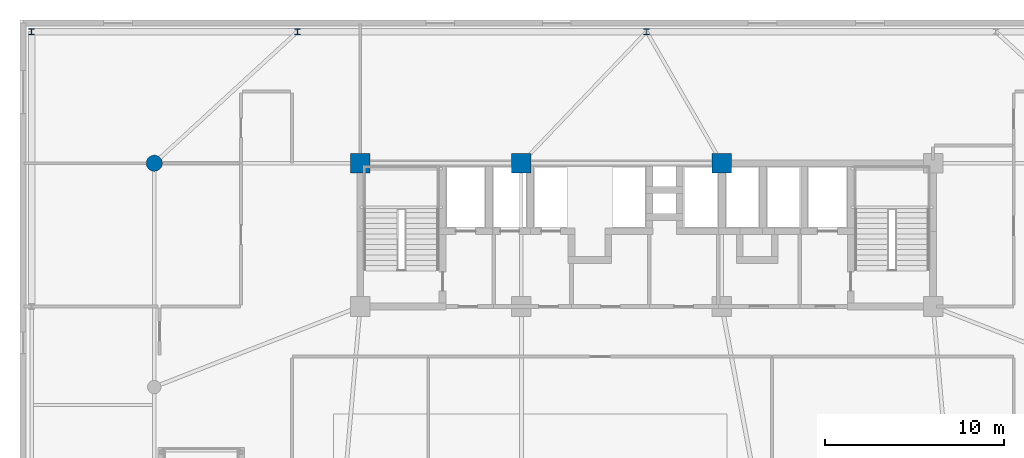
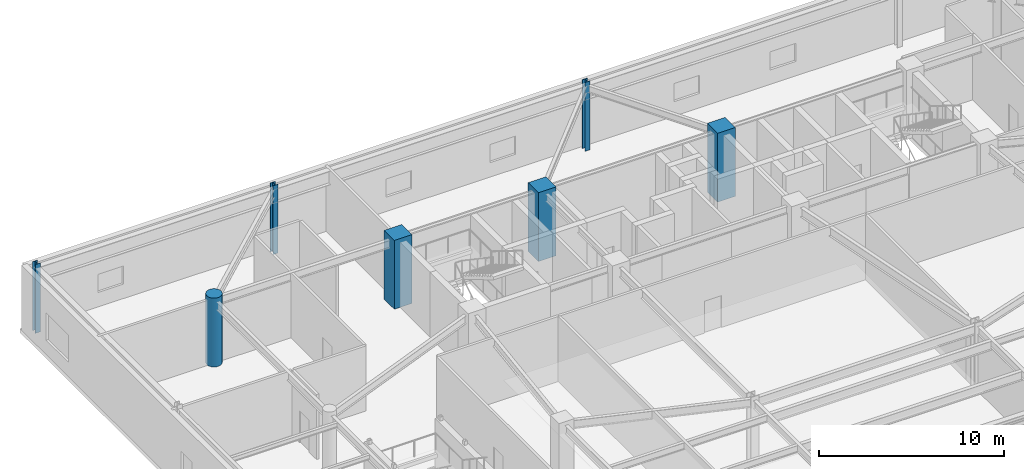
# One storey, part 4 of 26: 7 columns.
"""IFC4 building model written with IfcOpenShell, lengths in metres."""

from ifc_helpers import new_model, si_unit, direction, frame, origin, origin_2d, place, context, subcontext, project, spatial, rectangle, circle, i_section, extrude, source, transform, mapped, material, material_profile, profile_set, type_object, element, save


model = new_model("IFC4")

# Units and contexts
model_context = context("Model", 3, precision=1e-05, world=origin(), true_north=direction((0.0, 1.0)))
body_context = subcontext(model_context, "Body", "Model", "MODEL_VIEW")
ifc_project = project(units=[si_unit("LENGTHUNIT", "METRE"), si_unit("AREAUNIT", "SQUARE_METRE"), si_unit("VOLUMEUNIT", "CUBIC_METRE"), si_unit("PLANEANGLEUNIT", "RADIAN"), si_unit("MASSUNIT", "GRAM", prefix="KILO")], contexts=[model_context])

# Site, building, storey
site_placement = place(None, origin())
site = spatial("IfcSite", under=ifc_project, at=site_placement, CompositionType="ELEMENT")
building_placement = place(site_placement, origin())
building = spatial("IfcBuilding", under=site, at=building_placement, Name="Taldren Reach Tower", CompositionType="ELEMENT")
storey_placement = place(building_placement, frame((0.0, 0.0, 8.39990234375)))
storey = spatial("IfcBuildingStorey", under=building, at=storey_placement, Name="L02", CompositionType="ELEMENT", Elevation=8.39990234375)

# Columns
ifc_material_1 = material(Name="Concrete S100 (100 MPa)", Category="concrete")
ifc_material_profile_1 = material_profile(ifc_material_1, rectangle(XDim=1.10009765625, YDim=1.10009765625, at=origin_2d()), Name="RC-1100x1100")
ifc_profile_set_1 = profile_set([ifc_material_profile_1], Name="Concrete S100 (100 MPa)")
column_type_1 = type_object("IfcColumnType", Name="COL-RC1100", PredefinedType="COLUMN", material=ifc_profile_set_1)
shared_shape_1 = source(origin(), body_context, "Body", "SweptSolid", [
    extrude(rectangle(XDim=1.10009765625, YDim=1.10009765625, at=origin_2d()), origin(), (0.0, 0.0, 1.0), 4.550048828125),
])
for number, where, z_axis, x_axis, name in (
    (1, (19.0, 32.0, 0.0), (0.0, 0.0, 1.0), (1.0, 0.0, 0.0), "Mega column MC-C5 L02"),
    (2, (28.0, 32.0, 0.0), (0.0, 0.0, 1.0), (1.0, 0.0, 0.0), "Mega column MC-C6 L02"),
    (3, (39.199951171875, 32.0, 0.0), (0.0, 0.0, 1.0), (1.0, 0.0, 0.0), "Mega column MC-C7 L02"),
):
    element("IfcColumn", number, at=place(storey_placement, frame(where, z_axis=z_axis, x_axis=x_axis)), inside=storey, type_object=column_type_1, Name=name, PredefinedType="COLUMN", context=body_context, shape_type="MappedRepresentation", body=[
        mapped(shared_shape_1, transform((0.0, 0.0, 0.0), scale=1.0)),
    ])
ifc_material_2 = material(Name="Concrete S80 (80 MPa)", Category="concrete")
ifc_material_profile_2 = material_profile(ifc_material_2, circle(Radius=0.449951171875, at=origin_2d()), Name="RC-900D")
ifc_profile_set_2 = profile_set([ifc_material_profile_2], Name="Concrete S80 (80 MPa)")
column_type_2 = type_object("IfcColumnType", Name="COL-RCD900", PredefinedType="COLUMN", material=ifc_profile_set_2)
shared_shape_2 = source(origin(), body_context, "Body", "SweptSolid", [
    extrude(circle(Radius=0.449951171875, at=origin_2d()), origin(), (0.0, 0.0, 1.0), 4.550048828125),
])
column_placement = place(storey_placement, frame((7.5, 32.0, 0.0), z_axis=(0.0, 0.0, 1.0), x_axis=(1.0, 0.0, 0.0)))
element("IfcColumn", 4, at=column_placement, inside=storey, type_object=column_type_2, Name="Podium structural column PG-3 L02", PredefinedType="COLUMN", context=body_context, shape_type="MappedRepresentation", body=[
    mapped(shared_shape_2, transform((0.0, 0.0, 0.0), scale=1.0)),
])
ifc_material_3 = material(Name="Steel Gr 350 (350PLUS)", Category="steel")
ifc_material_profile_3 = material_profile(ifc_material_3, i_section(OverallWidth=0.31103515625, OverallDepth=0.326904296875, WebThickness=0.015625, FlangeThickness=0.02490234375, at=origin_2d()), Name="310UC158")
ifc_profile_set_3 = profile_set([ifc_material_profile_3], Name="Steel Gr 350 (350PLUS)")
column_type_3 = type_object("IfcColumnType", Name="COL-UC310A", PredefinedType="COLUMN", material=ifc_profile_set_3)
shared_shape_3 = source(origin(), body_context, "Body", "SweptSolid", [
    extrude(i_section(OverallWidth=0.31103515625, OverallDepth=0.326904296875, WebThickness=0.015625, FlangeThickness=0.02490234375, at=origin_2d()), origin(), (0.0, 0.0, 1.0), 4.550048828125),
])
for number, where, z_axis, x_axis, name in (
    (5, (0.64990234375, 39.35009765625, 0.0), (0.0, 0.0, 1.0), (1.0, 0.0, 0.0), "Podium structural column PP-W4 L02"),
    (6, (15.5, 39.35009765625, 0.0), (0.0, 0.0, 1.0), (1.0, 0.0, 0.0), "Podium structural column PP-N1 L02"),
    (7, (35.0, 39.35009765625, 0.0), (0.0, 0.0, 1.0), (1.0, 0.0, 0.0), "Podium structural column PP-N2 L02"),
):
    element("IfcColumn", number, at=place(storey_placement, frame(where, z_axis=z_axis, x_axis=x_axis)), inside=storey, type_object=column_type_3, Name=name, PredefinedType="COLUMN", context=body_context, shape_type="MappedRepresentation", body=[
        mapped(shared_shape_3, transform((0.0, 0.0, 0.0), scale=1.0)),
    ])

save(model, "model.ifc")
